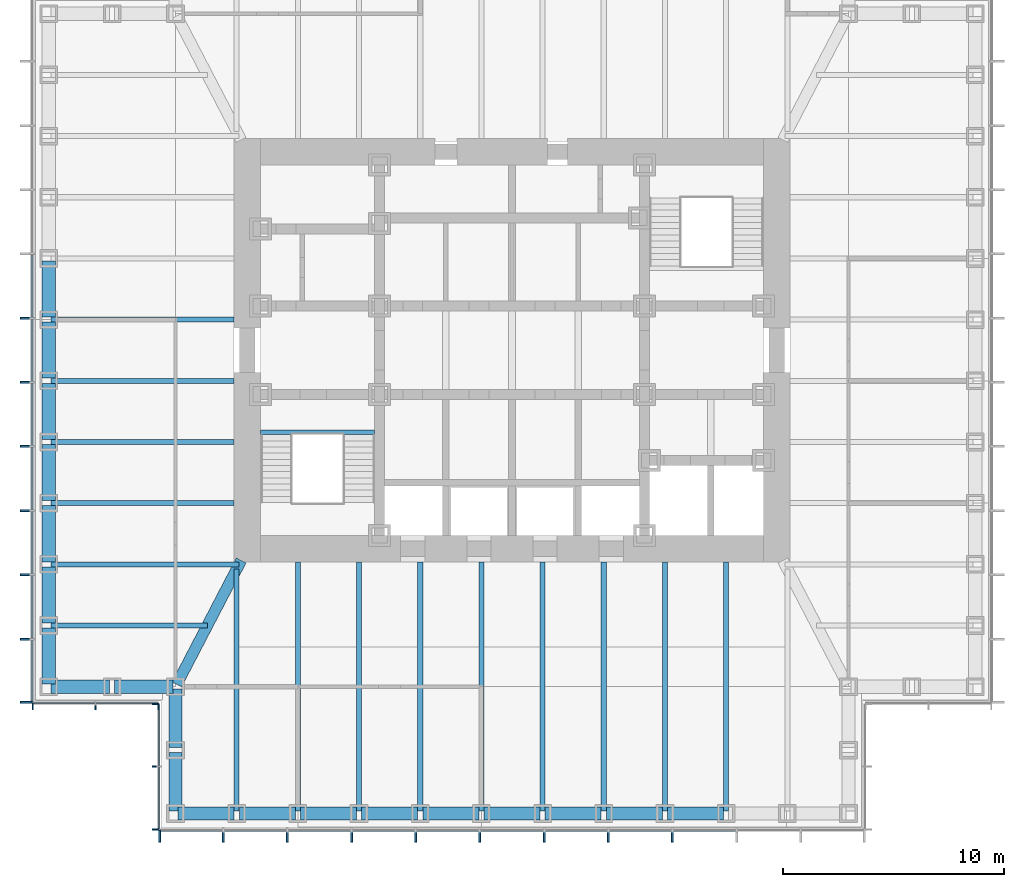
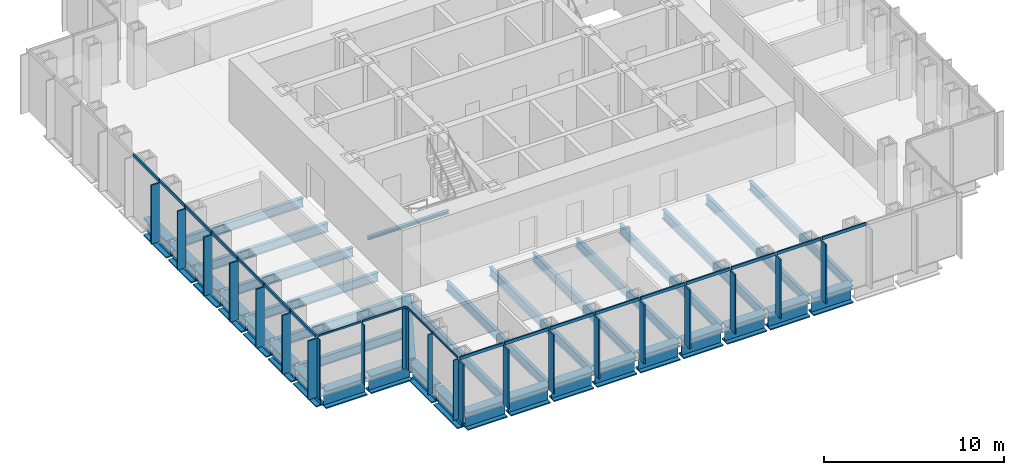
# One storey, part 2 of 16: 42 members, 37 beams, 4 elements without a shape of their own.
"""IFC4 building model written with IfcOpenShell, lengths in metres."""

from ifc_helpers import new_model, si_unit, direction, frame, origin, origin_2d, place, context, subcontext, project, spatial, rectangle, i_section, extrude, material, material_profile, profile_set, type_object, element, aggregate, save


model = new_model("IFC4")

# Units and contexts
model_context = context("Model", 3, precision=1e-05, world=origin(), true_north=direction((0.0, 1.0)))
body_context = subcontext(model_context, "Body", "Model", "MODEL_VIEW")
ifc_project = project(units=[si_unit("LENGTHUNIT", "METRE"), si_unit("AREAUNIT", "SQUARE_METRE"), si_unit("VOLUMEUNIT", "CUBIC_METRE"), si_unit("PLANEANGLEUNIT", "RADIAN"), si_unit("MASSUNIT", "GRAM", prefix="KILO")], contexts=[model_context])

# Site, building, storey
site_placement = place(None, origin())
site = spatial("IfcSite", under=ifc_project, at=site_placement, CompositionType="ELEMENT")
building_placement = place(site_placement, origin())
building = spatial("IfcBuilding", under=site, at=building_placement, Name="Daluyong Arena Tower", CompositionType="ELEMENT")
storey_placement = place(building_placement, frame((0.0, 0.0, 275.5)))
storey = spatial("IfcBuildingStorey", under=building, at=storey_placement, Name="L62", CompositionType="ELEMENT", Elevation=275.5)

# Curtain wall, members
ifc_material_1 = material(Name="Bronze anodised aluminium and glass", Category="aluminium")
curtain_wall_type_1 = type_object("IfcCurtainWallType", Name="Curtain wall CW4", PredefinedType="USERDEFINED", material=ifc_material_1)
curtain_wall_1_placement = place(storey_placement, origin())
curtain_wall_1 = element("IfcCurtainWall", 1, at=curtain_wall_1_placement, inside=storey, type_object=curtain_wall_type_1, Name="curtain wall L62 S", ObjectType="UNITISED CURTAIN WALL", PredefinedType="USERDEFINED")
ifc_material_2 = material(Name="Bronze anodised aluminium fin", Category="aluminium")
ifc_material_profile_1 = material_profile(ifc_material_2, rectangle(XDim=0.550048828125, YDim=0.090087890625, at=origin_2d()))
ifc_profile_set_1 = profile_set([ifc_material_profile_1], Name="Bronze anodised aluminium fin")
member_type_1 = type_object("IfcMemberType", Name="CW4 bronze fin 550x90", PredefinedType="MULLION", material=ifc_profile_set_1)
member_1_placement = place(storey_placement, frame((40.044921875, 57.97509765625, 0.0), z_axis=(0.0, 0.0, 1.0), x_axis=(0.0, 1.0, 0.0)))
member_1 = element("IfcMember", 2, at=member_1_placement, type_object=member_type_1, Name="curtain wall L62 S fin 1", PredefinedType="MULLION", context=body_context, shape_type="SweptSolid", body=[
    extrude(rectangle(XDim=0.550048828125, YDim=0.090087890625, at=origin_2d()), origin(), (0.0, 0.0, 1.0), 4.0),
])
member_2_placement = place(storey_placement, frame((42.9091796875, 57.97509765625, 0.0), z_axis=(0.0, 0.0, 1.0), x_axis=(0.0, 1.0, 0.0)))
member_2 = element("IfcMember", 3, at=member_2_placement, type_object=member_type_1, Name="curtain wall L62 S fin 2", PredefinedType="MULLION", context=body_context, shape_type="SweptSolid", body=[
    extrude(rectangle(XDim=0.550048828125, YDim=0.090087890625, at=origin_2d()), origin(), (0.0, 0.0, 1.0), 4.0),
])
member_3_placement = place(storey_placement, frame((45.818115234375, 57.97509765625, 0.0), z_axis=(0.0, 0.0, 1.0), x_axis=(0.0, 1.0, 0.0)))
member_3 = element("IfcMember", 4, at=member_3_placement, type_object=member_type_1, Name="curtain wall L62 S fin 3", PredefinedType="MULLION", context=body_context, shape_type="SweptSolid", body=[
    extrude(rectangle(XDim=0.550048828125, YDim=0.090087890625, at=origin_2d()), origin(), (0.0, 0.0, 1.0), 4.0),
])
member_4_placement = place(storey_placement, frame((48.727294921875, 57.97509765625, 0.0), z_axis=(0.0, 0.0, 1.0), x_axis=(0.0, 1.0, 0.0)))
member_4 = element("IfcMember", 5, at=member_4_placement, type_object=member_type_1, Name="curtain wall L62 S fin 4", PredefinedType="MULLION", context=body_context, shape_type="SweptSolid", body=[
    extrude(rectangle(XDim=0.550048828125, YDim=0.090087890625, at=origin_2d()), origin(), (0.0, 0.0, 1.0), 4.0),
])
member_5_placement = place(storey_placement, frame((51.636474609375, 57.97509765625, 0.0), z_axis=(0.0, 0.0, 1.0), x_axis=(0.0, 1.0, 0.0)))
member_5 = element("IfcMember", 6, at=member_5_placement, type_object=member_type_1, Name="curtain wall L62 S fin 5", PredefinedType="MULLION", context=body_context, shape_type="SweptSolid", body=[
    extrude(rectangle(XDim=0.550048828125, YDim=0.090087890625, at=origin_2d()), origin(), (0.0, 0.0, 1.0), 4.0),
])
member_6_placement = place(storey_placement, frame((54.54541015625, 57.97509765625, 0.0), z_axis=(0.0, 0.0, 1.0), x_axis=(0.0, 1.0, 0.0)))
member_6 = element("IfcMember", 7, at=member_6_placement, type_object=member_type_1, Name="curtain wall L62 S fin 6", PredefinedType="MULLION", context=body_context, shape_type="SweptSolid", body=[
    extrude(rectangle(XDim=0.550048828125, YDim=0.090087890625, at=origin_2d()), origin(), (0.0, 0.0, 1.0), 4.0),
])
member_7_placement = place(storey_placement, frame((57.45458984375, 57.97509765625, 0.0), z_axis=(0.0, 0.0, 1.0), x_axis=(0.0, 1.0, 0.0)))
member_7 = element("IfcMember", 8, at=member_7_placement, type_object=member_type_1, Name="curtain wall L62 S fin 7", PredefinedType="MULLION", context=body_context, shape_type="SweptSolid", body=[
    extrude(rectangle(XDim=0.550048828125, YDim=0.090087890625, at=origin_2d()), origin(), (0.0, 0.0, 1.0), 4.0),
])
member_8_placement = place(storey_placement, frame((60.363525390625, 57.97509765625, 0.0), z_axis=(0.0, 0.0, 1.0), x_axis=(0.0, 1.0, 0.0)))
member_8 = element("IfcMember", 9, at=member_8_placement, type_object=member_type_1, Name="curtain wall L62 S fin 8", PredefinedType="MULLION", context=body_context, shape_type="SweptSolid", body=[
    extrude(rectangle(XDim=0.550048828125, YDim=0.090087890625, at=origin_2d()), origin(), (0.0, 0.0, 1.0), 4.0),
])
member_9_placement = place(storey_placement, frame((63.272705078125, 57.97509765625, 0.0), z_axis=(0.0, 0.0, 1.0), x_axis=(0.0, 1.0, 0.0)))
member_9 = element("IfcMember", 10, at=member_9_placement, type_object=member_type_1, Name="curtain wall L62 S fin 9", PredefinedType="MULLION", context=body_context, shape_type="SweptSolid", body=[
    extrude(rectangle(XDim=0.550048828125, YDim=0.090087890625, at=origin_2d()), origin(), (0.0, 0.0, 1.0), 4.0),
])

curtain_wall_2_placement = place(storey_placement, origin())
curtain_wall_2 = element("IfcCurtainWall", 11, at=curtain_wall_2_placement, inside=storey, type_object=curtain_wall_type_1, Name="curtain wall L62 W", ObjectType="UNITISED CURTAIN WALL", PredefinedType="USERDEFINED")
member_10_placement = place(storey_placement, frame((33.97509765625, 81.45458984375, 0.0), z_axis=(0.0, 0.0, 1.0), x_axis=(1.0, 0.0, 0.0)))
member_10 = element("IfcMember", 12, at=member_10_placement, type_object=member_type_1, Name="curtain wall L62 W fin 6", PredefinedType="MULLION", context=body_context, shape_type="SweptSolid", body=[
    extrude(rectangle(XDim=0.550048828125, YDim=0.090087890625, at=origin_2d()), origin(), (0.0, 0.0, 1.0), 4.0),
])
member_11_placement = place(storey_placement, frame((33.97509765625, 78.54541015625, 0.0), z_axis=(0.0, 0.0, 1.0), x_axis=(1.0, 0.0, 0.0)))
member_11 = element("IfcMember", 13, at=member_11_placement, type_object=member_type_1, Name="curtain wall L62 W fin 7", PredefinedType="MULLION", context=body_context, shape_type="SweptSolid", body=[
    extrude(rectangle(XDim=0.550048828125, YDim=0.090087890625, at=origin_2d()), origin(), (0.0, 0.0, 1.0), 4.0),
])
member_12_placement = place(storey_placement, frame((33.97509765625, 75.636474609375, 0.0), z_axis=(0.0, 0.0, 1.0), x_axis=(1.0, 0.0, 0.0)))
member_12 = element("IfcMember", 14, at=member_12_placement, type_object=member_type_1, Name="curtain wall L62 W fin 8", PredefinedType="MULLION", context=body_context, shape_type="SweptSolid", body=[
    extrude(rectangle(XDim=0.550048828125, YDim=0.090087890625, at=origin_2d()), origin(), (0.0, 0.0, 1.0), 4.0),
])
member_13_placement = place(storey_placement, frame((33.97509765625, 72.727294921875, 0.0), z_axis=(0.0, 0.0, 1.0), x_axis=(1.0, 0.0, 0.0)))
member_13 = element("IfcMember", 15, at=member_13_placement, type_object=member_type_1, Name="curtain wall L62 W fin 9", PredefinedType="MULLION", context=body_context, shape_type="SweptSolid", body=[
    extrude(rectangle(XDim=0.550048828125, YDim=0.090087890625, at=origin_2d()), origin(), (0.0, 0.0, 1.0), 4.0),
])
member_14_placement = place(storey_placement, frame((33.97509765625, 69.818115234375, 0.0), z_axis=(0.0, 0.0, 1.0), x_axis=(1.0, 0.0, 0.0)))
member_14 = element("IfcMember", 16, at=member_14_placement, type_object=member_type_1, Name="curtain wall L62 W fin 10", PredefinedType="MULLION", context=body_context, shape_type="SweptSolid", body=[
    extrude(rectangle(XDim=0.550048828125, YDim=0.090087890625, at=origin_2d()), origin(), (0.0, 0.0, 1.0), 4.0),
])
member_15_placement = place(storey_placement, frame((33.97509765625, 66.9091796875, 0.0), z_axis=(0.0, 0.0, 1.0), x_axis=(1.0, 0.0, 0.0)))
member_15 = element("IfcMember", 17, at=member_15_placement, type_object=member_type_1, Name="curtain wall L62 W fin 11", PredefinedType="MULLION", context=body_context, shape_type="SweptSolid", body=[
    extrude(rectangle(XDim=0.550048828125, YDim=0.090087890625, at=origin_2d()), origin(), (0.0, 0.0, 1.0), 4.0),
])
member_16_placement = place(storey_placement, frame((33.97509765625, 64.044921875, 0.0), z_axis=(0.0, 0.0, 1.0), x_axis=(1.0, 0.0, 0.0)))
member_16 = element("IfcMember", 18, at=member_16_placement, type_object=member_type_1, Name="curtain wall L62 W fin 12", PredefinedType="MULLION", context=body_context, shape_type="SweptSolid", body=[
    extrude(rectangle(XDim=0.550048828125, YDim=0.090087890625, at=origin_2d()), origin(), (0.0, 0.0, 1.0), 4.0),
])

# Member
ifc_material_3 = material(Name="Bronze anodised aluminium", Category="aluminium")
ifc_material_profile_2 = material_profile(ifc_material_3, rectangle(XDim=0.090087890625, YDim=0.199951171875, at=origin_2d()))
ifc_profile_set_2 = profile_set([ifc_material_profile_2], Name="Bronze anodised aluminium")
member_type_2 = type_object("IfcMemberType", Name="CW4 stack transom 200x90", PredefinedType="USERDEFINED", material=ifc_profile_set_2)
member_17_placement = place(storey_placement, frame((40.090087890625, 58.25, 4.10009765625), z_axis=(1.0, 0.0, 0.0), x_axis=(0.0, 1.0, 0.0)))
member_17 = element("IfcMember", 19, at=member_17_placement, type_object=member_type_2, Name="curtain wall L62 S transom 1", ObjectType="TRANSOM", PredefinedType="USERDEFINED", context=body_context, shape_type="SweptSolid", body=[
    extrude(rectangle(XDim=0.090087890625, YDim=0.199951171875, at=origin_2d()), origin(), (0.0, 0.0, 1.0), 2.77392578125),
])

member_18_placement = place(storey_placement, frame((42.9541015625, 58.25, 4.10009765625), z_axis=(1.0, 0.0, 0.0), x_axis=(0.0, 1.0, 0.0)))
member_18 = element("IfcMember", 20, at=member_18_placement, type_object=member_type_2, Name="curtain wall L62 S transom 2", ObjectType="TRANSOM", PredefinedType="USERDEFINED", context=body_context, shape_type="SweptSolid", body=[
    extrude(rectangle(XDim=0.090087890625, YDim=0.199951171875, at=origin_2d()), origin(), (0.0, 0.0, 1.0), 2.819091796875),
])

member_19_placement = place(storey_placement, frame((45.86328125, 58.25, 4.10009765625), z_axis=(1.0, 0.0, 0.0), x_axis=(0.0, 1.0, 0.0)))
member_19 = element("IfcMember", 21, at=member_19_placement, type_object=member_type_2, Name="curtain wall L62 S transom 3", ObjectType="TRANSOM", PredefinedType="USERDEFINED", context=body_context, shape_type="SweptSolid", body=[
    extrude(rectangle(XDim=0.090087890625, YDim=0.199951171875, at=origin_2d()), origin(), (0.0, 0.0, 1.0), 2.819091796875),
])

member_20_placement = place(storey_placement, frame((48.772216796875, 58.25, 4.10009765625), z_axis=(1.0, 0.0, 0.0), x_axis=(0.0, 1.0, 0.0)))
member_20 = element("IfcMember", 22, at=member_20_placement, type_object=member_type_2, Name="curtain wall L62 S transom 4", ObjectType="TRANSOM", PredefinedType="USERDEFINED", context=body_context, shape_type="SweptSolid", body=[
    extrude(rectangle(XDim=0.090087890625, YDim=0.199951171875, at=origin_2d()), origin(), (0.0, 0.0, 1.0), 2.819091796875),
])

member_21_placement = place(storey_placement, frame((51.681396484375, 58.25, 4.10009765625), z_axis=(1.0, 0.0, 0.0), x_axis=(0.0, 1.0, 0.0)))
member_21 = element("IfcMember", 23, at=member_21_placement, type_object=member_type_2, Name="curtain wall L62 S transom 5", ObjectType="TRANSOM", PredefinedType="USERDEFINED", context=body_context, shape_type="SweptSolid", body=[
    extrude(rectangle(XDim=0.090087890625, YDim=0.199951171875, at=origin_2d()), origin(), (0.0, 0.0, 1.0), 2.819091796875),
])

member_22_placement = place(storey_placement, frame((54.590576171875, 58.25, 4.10009765625), z_axis=(1.0, 0.0, 0.0), x_axis=(0.0, 1.0, 0.0)))
member_22 = element("IfcMember", 24, at=member_22_placement, type_object=member_type_2, Name="curtain wall L62 S transom 6", ObjectType="TRANSOM", PredefinedType="USERDEFINED", context=body_context, shape_type="SweptSolid", body=[
    extrude(rectangle(XDim=0.090087890625, YDim=0.199951171875, at=origin_2d()), origin(), (0.0, 0.0, 1.0), 2.81884765625),
])

member_23_placement = place(storey_placement, frame((57.49951171875, 58.25, 4.10009765625), z_axis=(1.0, 0.0, 0.0), x_axis=(0.0, 1.0, 0.0)))
member_23 = element("IfcMember", 25, at=member_23_placement, type_object=member_type_2, Name="curtain wall L62 S transom 7", ObjectType="TRANSOM", PredefinedType="USERDEFINED", context=body_context, shape_type="SweptSolid", body=[
    extrude(rectangle(XDim=0.090087890625, YDim=0.199951171875, at=origin_2d()), origin(), (0.0, 0.0, 1.0), 2.819091796875),
])

member_24_placement = place(storey_placement, frame((60.40869140625, 58.25, 4.10009765625), z_axis=(1.0, 0.0, 0.0), x_axis=(0.0, 1.0, 0.0)))
member_24 = element("IfcMember", 26, at=member_24_placement, type_object=member_type_2, Name="curtain wall L62 S transom 8", ObjectType="TRANSOM", PredefinedType="USERDEFINED", context=body_context, shape_type="SweptSolid", body=[
    extrude(rectangle(XDim=0.090087890625, YDim=0.199951171875, at=origin_2d()), origin(), (0.0, 0.0, 1.0), 2.819091796875),
])

member_25_placement = place(storey_placement, frame((63.317626953125, 58.25, 4.10009765625), z_axis=(1.0, 0.0, 0.0), x_axis=(0.0, 1.0, 0.0)))
member_25 = element("IfcMember", 27, at=member_25_placement, type_object=member_type_2, Name="curtain wall L62 S transom 9", ObjectType="TRANSOM", PredefinedType="USERDEFINED", context=body_context, shape_type="SweptSolid", body=[
    extrude(rectangle(XDim=0.090087890625, YDim=0.199951171875, at=origin_2d()), origin(), (0.0, 0.0, 1.0), 2.819091796875),
])

aggregate(curtain_wall_1, [member_1, member_2, member_3, member_4, member_5, member_6, member_7, member_8, member_9, member_17, member_18, member_19, member_20, member_21, member_22, member_23, member_24, member_25])

member_26_placement = place(storey_placement, frame((34.25, 84.318603515625, 4.10009765625), z_axis=(0.0, -1.0, 0.0), x_axis=(1.0, 0.0, 0.0)))
member_26 = element("IfcMember", 28, at=member_26_placement, type_object=member_type_2, Name="curtain wall L62 W transom 5", ObjectType="TRANSOM", PredefinedType="USERDEFINED", context=body_context, shape_type="SweptSolid", body=[
    extrude(rectangle(XDim=0.090087890625, YDim=0.199951171875, at=origin_2d()), origin(), (0.0, 0.0, 1.0), 2.819091796875),
])

member_27_placement = place(storey_placement, frame((34.25, 81.409423828125, 4.10009765625), z_axis=(0.0, -1.0, 0.0), x_axis=(1.0, 0.0, 0.0)))
member_27 = element("IfcMember", 29, at=member_27_placement, type_object=member_type_2, Name="curtain wall L62 W transom 6", ObjectType="TRANSOM", PredefinedType="USERDEFINED", context=body_context, shape_type="SweptSolid", body=[
    extrude(rectangle(XDim=0.090087890625, YDim=0.199951171875, at=origin_2d()), origin(), (0.0, 0.0, 1.0), 2.81884765625),
])

member_28_placement = place(storey_placement, frame((34.25, 78.50048828125, 4.10009765625), z_axis=(0.0, -1.0, 0.0), x_axis=(1.0, 0.0, 0.0)))
member_28 = element("IfcMember", 30, at=member_28_placement, type_object=member_type_2, Name="curtain wall L62 W transom 7", ObjectType="TRANSOM", PredefinedType="USERDEFINED", context=body_context, shape_type="SweptSolid", body=[
    extrude(rectangle(XDim=0.090087890625, YDim=0.199951171875, at=origin_2d()), origin(), (0.0, 0.0, 1.0), 2.819091796875),
])

member_29_placement = place(storey_placement, frame((34.25, 75.59130859375, 4.10009765625), z_axis=(0.0, -1.0, 0.0), x_axis=(1.0, 0.0, 0.0)))
member_29 = element("IfcMember", 31, at=member_29_placement, type_object=member_type_2, Name="curtain wall L62 W transom 8", ObjectType="TRANSOM", PredefinedType="USERDEFINED", context=body_context, shape_type="SweptSolid", body=[
    extrude(rectangle(XDim=0.090087890625, YDim=0.199951171875, at=origin_2d()), origin(), (0.0, 0.0, 1.0), 2.819091796875),
])

member_30_placement = place(storey_placement, frame((34.25, 72.682373046875, 4.10009765625), z_axis=(0.0, -1.0, 0.0), x_axis=(1.0, 0.0, 0.0)))
member_30 = element("IfcMember", 32, at=member_30_placement, type_object=member_type_2, Name="curtain wall L62 W transom 9", ObjectType="TRANSOM", PredefinedType="USERDEFINED", context=body_context, shape_type="SweptSolid", body=[
    extrude(rectangle(XDim=0.090087890625, YDim=0.199951171875, at=origin_2d()), origin(), (0.0, 0.0, 1.0), 2.819091796875),
])

member_31_placement = place(storey_placement, frame((34.25, 69.773193359375, 4.10009765625), z_axis=(0.0, -1.0, 0.0), x_axis=(1.0, 0.0, 0.0)))
member_31 = element("IfcMember", 33, at=member_31_placement, type_object=member_type_2, Name="curtain wall L62 W transom 10", ObjectType="TRANSOM", PredefinedType="USERDEFINED", context=body_context, shape_type="SweptSolid", body=[
    extrude(rectangle(XDim=0.090087890625, YDim=0.199951171875, at=origin_2d()), origin(), (0.0, 0.0, 1.0), 2.819091796875),
])

member_32_placement = place(storey_placement, frame((34.25, 66.864013671875, 4.10009765625), z_axis=(0.0, -1.0, 0.0), x_axis=(1.0, 0.0, 0.0)))
member_32 = element("IfcMember", 34, at=member_32_placement, type_object=member_type_2, Name="curtain wall L62 W transom 11", ObjectType="TRANSOM", PredefinedType="USERDEFINED", context=body_context, shape_type="SweptSolid", body=[
    extrude(rectangle(XDim=0.090087890625, YDim=0.199951171875, at=origin_2d()), origin(), (0.0, 0.0, 1.0), 2.77392578125),
])

aggregate(curtain_wall_2, [member_10, member_11, member_12, member_13, member_14, member_15, member_16, member_26, member_27, member_28, member_29, member_30, member_31, member_32])

# Curtain wall, members
ifc_material_4 = material(Name="Bronze anodised aluminium and glass", Category="aluminium")
curtain_wall_type_2 = type_object("IfcCurtainWallType", Name="Curtain wall CW7", PredefinedType="USERDEFINED", material=ifc_material_4)
curtain_wall_3_placement = place(storey_placement, origin())
curtain_wall_3 = element("IfcCurtainWall", 35, at=curtain_wall_3_placement, inside=storey, type_object=curtain_wall_type_2, Name="curtain wall L62 SW-S", ObjectType="UNITISED CURTAIN WALL", PredefinedType="USERDEFINED")
ifc_material_5 = material(Name="Bronze anodised aluminium fin", Category="aluminium")
ifc_material_profile_3 = material_profile(ifc_material_5, rectangle(XDim=0.300048828125, YDim=0.06005859375, at=origin_2d()))
ifc_profile_set_3 = profile_set([ifc_material_profile_3], Name="Bronze anodised aluminium fin")
member_type_3 = type_object("IfcMemberType", Name="CW7 bronze fin 300x60", PredefinedType="MULLION", material=ifc_profile_set_3)
member_33_placement = place(storey_placement, frame((34.280029296875, 63.85009765625, 0.0), z_axis=(0.0, 0.0, 1.0), x_axis=(0.0, 1.0, 0.0)))
member_33 = element("IfcMember", 36, at=member_33_placement, type_object=member_type_3, Name="curtain wall L62 SW-S fin 1", PredefinedType="MULLION", context=body_context, shape_type="SweptSolid", body=[
    extrude(rectangle(XDim=0.300048828125, YDim=0.06005859375, at=origin_2d()), origin(), (0.0, 0.0, 1.0), 4.080078125),
])
member_34_placement = place(storey_placement, frame((37.125, 63.85009765625, 0.0), z_axis=(0.0, 0.0, 1.0), x_axis=(0.0, 1.0, 0.0)))
member_34 = element("IfcMember", 37, at=member_34_placement, type_object=member_type_3, Name="curtain wall L62 SW-S fin 2", PredefinedType="MULLION", context=body_context, shape_type="SweptSolid", body=[
    extrude(rectangle(XDim=0.300048828125, YDim=0.06005859375, at=origin_2d()), origin(), (0.0, 0.0, 1.0), 4.080078125),
])
member_35_placement = place(storey_placement, frame((39.969970703125, 63.85009765625, 0.0), z_axis=(0.0, 0.0, 1.0), x_axis=(0.0, 1.0, 0.0)))
member_35 = element("IfcMember", 38, at=member_35_placement, type_object=member_type_3, Name="curtain wall L62 SW-S fin 3", PredefinedType="MULLION", context=body_context, shape_type="SweptSolid", body=[
    extrude(rectangle(XDim=0.300048828125, YDim=0.06005859375, at=origin_2d()), origin(), (0.0, 0.0, 1.0), 4.080078125),
])

curtain_wall_4_placement = place(storey_placement, origin())
curtain_wall_4 = element("IfcCurtainWall", 39, at=curtain_wall_4_placement, inside=storey, type_object=curtain_wall_type_2, Name="curtain wall L62 SW-W", ObjectType="UNITISED CURTAIN WALL", PredefinedType="USERDEFINED")
member_36_placement = place(storey_placement, frame((39.85009765625, 63.969970703125, 0.0), z_axis=(0.0, 0.0, 1.0), x_axis=(1.0, 0.0, 0.0)))
member_36 = element("IfcMember", 40, at=member_36_placement, type_object=member_type_3, Name="curtain wall L62 SW-W fin 1", PredefinedType="MULLION", context=body_context, shape_type="SweptSolid", body=[
    extrude(rectangle(XDim=0.300048828125, YDim=0.06005859375, at=origin_2d()), origin(), (0.0, 0.0, 1.0), 4.080078125),
])
member_37_placement = place(storey_placement, frame((39.85009765625, 61.125, 0.0), z_axis=(0.0, 0.0, 1.0), x_axis=(1.0, 0.0, 0.0)))
member_37 = element("IfcMember", 41, at=member_37_placement, type_object=member_type_3, Name="curtain wall L62 SW-W fin 2", PredefinedType="MULLION", context=body_context, shape_type="SweptSolid", body=[
    extrude(rectangle(XDim=0.300048828125, YDim=0.06005859375, at=origin_2d()), origin(), (0.0, 0.0, 1.0), 4.080078125),
])
member_38_placement = place(storey_placement, frame((39.85009765625, 58.280029296875, 0.0), z_axis=(0.0, 0.0, 1.0), x_axis=(1.0, 0.0, 0.0)))
member_38 = element("IfcMember", 42, at=member_38_placement, type_object=member_type_3, Name="curtain wall L62 SW-W fin 3", PredefinedType="MULLION", context=body_context, shape_type="SweptSolid", body=[
    extrude(rectangle(XDim=0.300048828125, YDim=0.06005859375, at=origin_2d()), origin(), (0.0, 0.0, 1.0), 4.080078125),
])

# Member
ifc_material_6 = material(Name="Bronze anodised aluminium", Category="aluminium")
ifc_material_profile_4 = material_profile(ifc_material_6, rectangle(XDim=0.06005859375, YDim=0.1201171875, at=origin_2d()))
ifc_profile_set_4 = profile_set([ifc_material_profile_4], Name="Bronze anodised aluminium")
member_type_4 = type_object("IfcMemberType", Name="CW7 stack transom 120x60", PredefinedType="USERDEFINED", material=ifc_profile_set_4)
member_39_placement = place(storey_placement, frame((34.31005859375, 64.0, 4.139892578125), z_axis=(1.0, 0.0, 0.0), x_axis=(0.0, 1.0, 0.0)))
member_39 = element("IfcMember", 43, at=member_39_placement, type_object=member_type_4, Name="curtain wall L62 SW-S transom 1", ObjectType="TRANSOM", PredefinedType="USERDEFINED", context=body_context, shape_type="SweptSolid", body=[
    extrude(rectangle(XDim=0.06005859375, YDim=0.1201171875, at=origin_2d()), origin(), (0.0, 0.0, 1.0), 2.784912109375),
])

member_40_placement = place(storey_placement, frame((37.155029296875, 64.0, 4.139892578125), z_axis=(1.0, 0.0, 0.0), x_axis=(0.0, 1.0, 0.0)))
member_40 = element("IfcMember", 44, at=member_40_placement, type_object=member_type_4, Name="curtain wall L62 SW-S transom 2", ObjectType="TRANSOM", PredefinedType="USERDEFINED", context=body_context, shape_type="SweptSolid", body=[
    extrude(rectangle(XDim=0.06005859375, YDim=0.1201171875, at=origin_2d()), origin(), (0.0, 0.0, 1.0), 2.784912109375),
])

aggregate(curtain_wall_3, [member_33, member_34, member_35, member_39, member_40])

member_41_placement = place(storey_placement, frame((40.0, 63.93994140625, 4.139892578125), z_axis=(0.0, -1.0, 0.0), x_axis=(1.0, 0.0, 0.0)))
member_41 = element("IfcMember", 45, at=member_41_placement, type_object=member_type_4, Name="curtain wall L62 SW-W transom 1", ObjectType="TRANSOM", PredefinedType="USERDEFINED", context=body_context, shape_type="SweptSolid", body=[
    extrude(rectangle(XDim=0.06005859375, YDim=0.1201171875, at=origin_2d()), origin(), (0.0, 0.0, 1.0), 2.784912109375),
])

member_42_placement = place(storey_placement, frame((40.0, 61.094970703125, 4.139892578125), z_axis=(0.0, -1.0, 0.0), x_axis=(1.0, 0.0, 0.0)))
member_42 = element("IfcMember", 46, at=member_42_placement, type_object=member_type_4, Name="curtain wall L62 SW-W transom 2", ObjectType="TRANSOM", PredefinedType="USERDEFINED", context=body_context, shape_type="SweptSolid", body=[
    extrude(rectangle(XDim=0.06005859375, YDim=0.1201171875, at=origin_2d()), origin(), (0.0, 0.0, 1.0), 2.784912109375),
])

aggregate(curtain_wall_4, [member_36, member_37, member_38, member_41, member_42])

# Beams
ifc_material_7 = material(Name="Steel ASTM A572 Grade 50", Category="steel")
ifc_material_profile_5 = material_profile(ifc_material_7, i_section(OverallWidth=0.5, OverallDepth=1.0, WebThickness=0.03, FlangeThickness=0.06, at=origin_2d()))
ifc_profile_set_5 = profile_set([ifc_material_profile_5], Name="Steel ASTM A572 Grade 50")
beam_type_1 = type_object("IfcBeamType", Name="Corner girder TB1000X500", PredefinedType="BEAM", material=ifc_profile_set_5)
beam_1_placement = place(storey_placement, frame((40.802978515625, 64.85205078125, -0.659912109375), z_axis=(0.461351522179, 0.887217432754, 0.0), x_axis=(-0.887217432754, 0.461351522179, 0.0)))
element("IfcBeam", 47, at=beam_1_placement, inside=storey, type_object=beam_type_1, Name="corner girder DG2", PredefinedType="BEAM", context=body_context, shape_type="SweptSolid", body=[
    extrude(i_section(OverallWidth=0.5, OverallDepth=1.0, WebThickness=0.03, FlangeThickness=0.06, at=origin_2d()), origin(), (0.0, 0.0, 1.0), 6.32958984375),
])
ifc_material_8 = material(Name="Steel ASTM A992 Grade 50", Category="steel")
ifc_material_profile_6 = material_profile(ifc_material_8, i_section(OverallWidth=0.22900390625, OverallDepth=0.612060546875, WebThickness=0.011962890625, FlangeThickness=0.01953125, at=origin_2d()))
ifc_profile_set_6 = profile_set([ifc_material_profile_6], Name="Steel ASTM A992 Grade 50")
beam_type_2 = type_object("IfcBeamType", Name="Floor beam W24X84", PredefinedType="BEAM", material=ifc_profile_set_6)
beam_2_placement = place(storey_placement, frame((43.522705078125, 59.114990234375, -0.466064453125), z_axis=(0.0, 1.0, 0.0), x_axis=(-1.0, 0.0, 0.0)))
element("IfcBeam", 48, at=beam_2_placement, inside=storey, type_object=beam_type_2, Name="floor beam FB3", PredefinedType="BEAM", context=body_context, shape_type="SweptSolid", body=[
    extrude(i_section(OverallWidth=0.22900390625, OverallDepth=0.612060546875, WebThickness=0.011962890625, FlangeThickness=0.01953125, at=origin_2d()), origin(), (0.0, 0.0, 1.0), 10.96728515625),
])
for number, where, z_axis, x_axis, name in (
    (49, (46.29541015625, 59.114990234375, -0.466064453125), (0.0, 1.0, 0.0), (-1.0, 0.0, 0.0), "floor beam FB3"),
    (50, (49.068115234375, 59.114990234375, -0.466064453125), (0.0, 1.0, 0.0), (-1.0, 0.0, 0.0), "floor beam FB3"),
    (51, (51.8408203125, 59.114990234375, -0.466064453125), (0.0, 1.0, 0.0), (-1.0, 0.0, 0.0), "floor beam FB3"),
    (52, (54.613525390625, 59.114990234375, -0.466064453125), (0.0, 1.0, 0.0), (-1.0, 0.0, 0.0), "floor beam FB3"),
    (53, (57.386474609375, 59.114990234375, -0.466064453125), (0.0, 1.0, 0.0), (-1.0, 0.0, 0.0), "floor beam FB3"),
    (54, (60.1591796875, 59.114990234375, -0.466064453125), (0.0, 1.0, 0.0), (-1.0, 0.0, 0.0), "floor beam FB3"),
    (55, (62.931884765625, 59.114990234375, -0.466064453125), (0.0, 1.0, 0.0), (-1.0, 0.0, 0.0), "floor beam FB3"),
    (56, (65.70458984375, 59.114990234375, -0.466064453125), (0.0, 1.0, 0.0), (-1.0, 0.0, 0.0), "floor beam FB3"),
):
    element("IfcBeam", number, at=place(storey_placement, frame(where, z_axis=z_axis, x_axis=x_axis)), inside=storey, type_object=beam_type_2, Name=name, PredefinedType="BEAM", context=body_context, shape_type="SweptSolid", body=[
        extrude(i_section(OverallWidth=0.22900390625, OverallDepth=0.612060546875, WebThickness=0.011962890625, FlangeThickness=0.01953125, at=origin_2d()), origin(), (0.0, 0.0, 1.0), 11.284912109375),
    ])
for number, where, z_axis, x_axis, name in (
    (57, (35.114990234375, 81.386474609375, -0.466064453125), (1.0, 0.0, 0.0), (0.0, 1.0, 0.0), "floor beam FB3"),
    (58, (35.114990234375, 78.613525390625, -0.466064453125), (1.0, 0.0, 0.0), (0.0, 1.0, 0.0), "floor beam FB3"),
    (59, (35.114990234375, 75.8408203125, -0.466064453125), (1.0, 0.0, 0.0), (0.0, 1.0, 0.0), "floor beam FB3"),
    (60, (35.114990234375, 73.068115234375, -0.466064453125), (1.0, 0.0, 0.0), (0.0, 1.0, 0.0), "floor beam FB3"),
):
    element("IfcBeam", number, at=place(storey_placement, frame(where, z_axis=z_axis, x_axis=x_axis)), inside=storey, type_object=beam_type_2, Name=name, PredefinedType="BEAM", context=body_context, shape_type="SweptSolid", body=[
        extrude(i_section(OverallWidth=0.22900390625, OverallDepth=0.612060546875, WebThickness=0.011962890625, FlangeThickness=0.01953125, at=origin_2d()), origin(), (0.0, 0.0, 1.0), 8.284912109375),
    ])
beam_3_placement = place(storey_placement, frame((35.114990234375, 70.29541015625, -0.466064453125), z_axis=(1.0, 0.0, 0.0), x_axis=(0.0, 1.0, 0.0)))
element("IfcBeam", 61, at=beam_3_placement, inside=storey, type_object=beam_type_2, Name="floor beam FB3", PredefinedType="BEAM", context=body_context, shape_type="SweptSolid", body=[
    extrude(i_section(OverallWidth=0.22900390625, OverallDepth=0.612060546875, WebThickness=0.011962890625, FlangeThickness=0.01953125, at=origin_2d()), origin(), (0.0, 0.0, 1.0), 8.5185546875),
])
beam_4_placement = place(storey_placement, frame((35.114990234375, 67.522705078125, -0.466064453125), z_axis=(1.0, 0.0, 0.0), x_axis=(0.0, 1.0, 0.0)))
element("IfcBeam", 62, at=beam_4_placement, inside=storey, type_object=beam_type_2, Name="floor beam FB3", PredefinedType="BEAM", context=body_context, shape_type="SweptSolid", body=[
    extrude(i_section(OverallWidth=0.22900390625, OverallDepth=0.612060546875, WebThickness=0.011962890625, FlangeThickness=0.01953125, at=origin_2d()), origin(), (0.0, 0.0, 1.0), 7.076904296875),
])
ifc_material_9 = material(Name="Steel ASTM A572 Grade 50", Category="steel")
ifc_material_profile_7 = material_profile(ifc_material_9, i_section(OverallWidth=0.60009765625, OverallDepth=1.199951171875, WebThickness=0.03, FlangeThickness=0.08, at=origin_2d()))
ifc_profile_set_7 = profile_set([ifc_material_profile_7], Name="Steel ASTM A572 Grade 50")
beam_type_3 = type_object("IfcBeamType", Name="Spandrel Z4 PG1200X600", PredefinedType="SPANDREL", material=ifc_profile_set_7)
for number, where, z_axis, x_axis, name in (
    (63, (40.864990234375, 59.0, -0.760009765625), (1.0, 0.0, 0.0), (0.0, 1.0, 0.0), "spandrel z4 SB9"),
    (64, (43.6376953125, 59.0, -0.760009765625), (1.0, 0.0, 0.0), (0.0, 1.0, 0.0), "spandrel z4 SB9"),
    (65, (46.410400390625, 59.0, -0.760009765625), (1.0, 0.0, 0.0), (0.0, 1.0, 0.0), "spandrel z4 SB9"),
    (66, (49.18310546875, 59.0, -0.760009765625), (1.0, 0.0, 0.0), (0.0, 1.0, 0.0), "spandrel z4 SB9"),
    (67, (51.955810546875, 59.0, -0.760009765625), (1.0, 0.0, 0.0), (0.0, 1.0, 0.0), "spandrel z4 SB9"),
):
    element("IfcBeam", number, at=place(storey_placement, frame(where, z_axis=z_axis, x_axis=x_axis)), inside=storey, type_object=beam_type_3, Name=name, PredefinedType="SPANDREL", context=body_context, shape_type="SweptSolid", body=[
        extrude(i_section(OverallWidth=0.60009765625, OverallDepth=1.199951171875, WebThickness=0.03, FlangeThickness=0.08, at=origin_2d()), origin(), (0.0, 0.0, 1.0), 2.542724609375),
    ])
beam_5_placement = place(storey_placement, frame((54.728515625, 59.0, -0.760009765625), z_axis=(1.0, 0.0, 0.0), x_axis=(0.0, 1.0, 0.0)))
element("IfcBeam", 68, at=beam_5_placement, inside=storey, type_object=beam_type_3, Name="spandrel z4 SB9", PredefinedType="SPANDREL", context=body_context, shape_type="SweptSolid", body=[
    extrude(i_section(OverallWidth=0.60009765625, OverallDepth=1.199951171875, WebThickness=0.03, FlangeThickness=0.08, at=origin_2d()), origin(), (0.0, 0.0, 1.0), 2.54296875),
])
for number, where, z_axis, x_axis, name in (
    (69, (57.50146484375, 59.0, -0.760009765625), (1.0, 0.0, 0.0), (0.0, 1.0, 0.0), "spandrel z4 SB9"),
    (70, (60.274169921875, 59.0, -0.760009765625), (1.0, 0.0, 0.0), (0.0, 1.0, 0.0), "spandrel z4 SB9"),
    (71, (63.046875, 59.0, -0.760009765625), (1.0, 0.0, 0.0), (0.0, 1.0, 0.0), "spandrel z4 SB9"),
    (72, (35.0, 84.044189453125, -0.760009765625), (0.0, -1.0, 0.0), (1.0, 0.0, 0.0), "spandrel z4 SB9"),
):
    element("IfcBeam", number, at=place(storey_placement, frame(where, z_axis=z_axis, x_axis=x_axis)), inside=storey, type_object=beam_type_3, Name=name, PredefinedType="SPANDREL", context=body_context, shape_type="SweptSolid", body=[
        extrude(i_section(OverallWidth=0.60009765625, OverallDepth=1.199951171875, WebThickness=0.03, FlangeThickness=0.08, at=origin_2d()), origin(), (0.0, 0.0, 1.0), 2.542724609375),
    ])
beam_6_placement = place(storey_placement, frame((35.0, 81.271484375, -0.760009765625), z_axis=(0.0, -1.0, 0.0), x_axis=(1.0, 0.0, 0.0)))
element("IfcBeam", 73, at=beam_6_placement, inside=storey, type_object=beam_type_3, Name="spandrel z4 SB9", PredefinedType="SPANDREL", context=body_context, shape_type="SweptSolid", body=[
    extrude(i_section(OverallWidth=0.60009765625, OverallDepth=1.199951171875, WebThickness=0.03, FlangeThickness=0.08, at=origin_2d()), origin(), (0.0, 0.0, 1.0), 2.54296875),
])
for number, where, z_axis, x_axis, name in (
    (74, (35.0, 78.49853515625, -0.760009765625), (0.0, -1.0, 0.0), (1.0, 0.0, 0.0), "spandrel z4 SB9"),
    (75, (35.0, 75.725830078125, -0.760009765625), (0.0, -1.0, 0.0), (1.0, 0.0, 0.0), "spandrel z4 SB9"),
    (76, (35.0, 72.953125, -0.760009765625), (0.0, -1.0, 0.0), (1.0, 0.0, 0.0), "spandrel z4 SB9"),
    (77, (35.0, 70.180419921875, -0.760009765625), (0.0, -1.0, 0.0), (1.0, 0.0, 0.0), "spandrel z4 SB9"),
    (78, (35.0, 67.40771484375, -0.760009765625), (0.0, -1.0, 0.0), (1.0, 0.0, 0.0), "spandrel z4 SB9"),
):
    element("IfcBeam", number, at=place(storey_placement, frame(where, z_axis=z_axis, x_axis=x_axis)), inside=storey, type_object=beam_type_3, Name=name, PredefinedType="SPANDREL", context=body_context, shape_type="SweptSolid", body=[
        extrude(i_section(OverallWidth=0.60009765625, OverallDepth=1.199951171875, WebThickness=0.03, FlangeThickness=0.08, at=origin_2d()), origin(), (0.0, 0.0, 1.0), 2.542724609375),
    ])
for number, where, z_axis, x_axis, name in (
    (79, (35.114990234375, 64.75, -0.760009765625), (1.0, 0.0, 0.0), (0.0, 1.0, 0.0), "spandrel z4 SB9"),
    (80, (37.989990234375, 64.75, -0.760009765625), (1.0, 0.0, 0.0), (0.0, 1.0, 0.0), "spandrel z4 SB9"),
    (81, (40.75, 64.635009765625, -0.760009765625), (0.0, -1.0, 0.0), (1.0, 0.0, 0.0), "spandrel z4 SB9"),
    (82, (40.75, 61.760009765625, -0.760009765625), (0.0, -1.0, 0.0), (1.0, 0.0, 0.0), "spandrel z4 SB9"),
):
    element("IfcBeam", number, at=place(storey_placement, frame(where, z_axis=z_axis, x_axis=x_axis)), inside=storey, type_object=beam_type_3, Name=name, PredefinedType="SPANDREL", context=body_context, shape_type="SweptSolid", body=[
        extrude(i_section(OverallWidth=0.60009765625, OverallDepth=1.199951171875, WebThickness=0.03, FlangeThickness=0.08, at=origin_2d()), origin(), (0.0, 0.0, 1.0), 2.64501953125),
    ])
ifc_material_10 = material(Name="Steel ASTM A992 Grade 50", Category="steel")
ifc_material_profile_8 = material_profile(ifc_material_10, i_section(OverallWidth=0.203125, OverallDepth=0.203125, WebThickness=0.00732421875, FlangeThickness=0.010986328125, at=origin_2d()))
ifc_profile_set_8 = profile_set([ifc_material_profile_8], Name="Steel ASTM A992 Grade 50")
beam_type_4 = type_object("IfcBeamType", Name="Stair landing beam W8X31", PredefinedType="BEAM", material=ifc_profile_set_8)
beam_7_placement = place(storey_placement, frame((44.60009765625, 76.276611328125, -0.26171875), z_axis=(1.0, 0.0, 0.0), x_axis=(0.0, 1.0, 0.0)))
element("IfcBeam", 83, at=beam_7_placement, inside=storey, type_object=beam_type_4, Name="exit stair A landing beam", PredefinedType="BEAM", context=body_context, shape_type="SweptSolid", body=[
    extrude(i_section(OverallWidth=0.203125, OverallDepth=0.203125, WebThickness=0.00732421875, FlangeThickness=0.010986328125, at=origin_2d()), origin(), (0.0, 0.0, 1.0), 5.1748046875),
])

save(model, "model.ifc")
